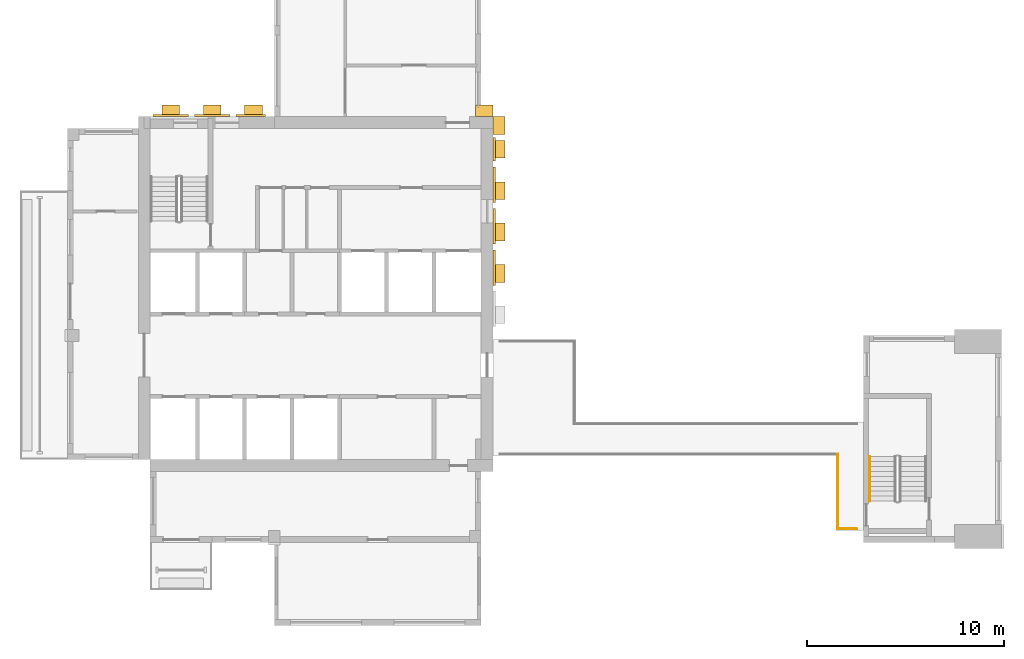
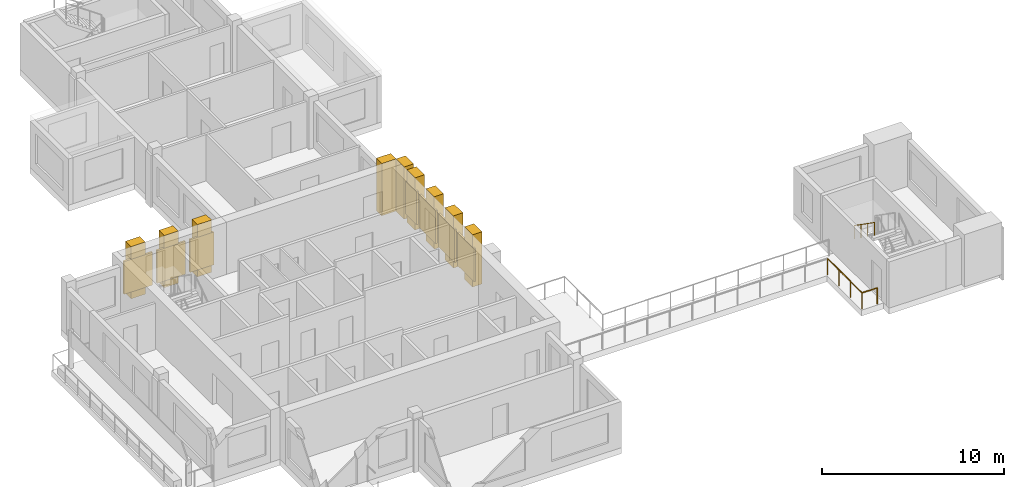
# One storey, part 7 of 9: 16 coverings, 3 railings.
"""IFC4 building model written with IfcOpenShell, lengths in metres."""

from ifc_helpers import new_model, si_unit, direction, frame, origin, origin_2d, place, context, subcontext, project, spatial, rectangle, circle, extrude, source, transform, mapped, material, type_object, element, save


model = new_model("IFC4")

# Units and contexts
model_context = context("Model", 3, precision=1e-05, world=origin(), true_north=direction((0.0, 1.0)))
body_context = subcontext(model_context, "Body", "Model", "MODEL_VIEW")
ifc_project = project(units=[si_unit("LENGTHUNIT", "METRE"), si_unit("AREAUNIT", "SQUARE_METRE"), si_unit("VOLUMEUNIT", "CUBIC_METRE"), si_unit("PLANEANGLEUNIT", "RADIAN"), si_unit("MASSUNIT", "GRAM", prefix="KILO")], contexts=[model_context])

# Site, building, storey
site_placement = place(None, origin())
site = spatial("IfcSite", under=ifc_project, at=site_placement, CompositionType="ELEMENT")
building_placement = place(site_placement, origin())
building = spatial("IfcBuilding", under=site, at=building_placement, Name="Aurelian Terraces", CompositionType="ELEMENT")
storey_placement = place(building_placement, frame((0.0, 0.0, 333.5)))
storey = spatial("IfcBuildingStorey", under=building, at=storey_placement, Name="L78", CompositionType="ELEMENT", Elevation=333.5)

# Railings
ifc_material_1 = material(Name="Anodised aluminium", Category="aluminium")
railing_type_1 = type_object("IfcRailingType", Name="GUARD-1100", PredefinedType="GUARDRAIL", material=ifc_material_1)
railing_1_placement = place(storey_placement, frame((40.05, 0.69, 0.0)))
element("IfcRailing", 1, at=railing_1_placement, inside=storey, type_object=railing_type_1, Name="Terrace guard L78 PORTAL-B78.1", PredefinedType="GUARDRAIL", context=body_context, shape_type="SweptSolid", body=[
    extrude(circle(Radius=0.024, at=origin_2d()), frame((0.0, 0.0, 1.076), z_axis=(-1.0, 0.0, 0.0), x_axis=(0.0, -1.0, 0.0)), (0.0, 0.0, 1.0), 0.96),
    extrude(circle(Radius=0.021, at=origin_2d()), origin(), (0.0, 0.0, 1.0), 1.052),
    extrude(circle(Radius=0.021, at=origin_2d()), frame((-0.96, 0.0, 0.0)), (0.0, 0.0, 1.0), 1.052),
])
railing_2_placement = place(storey_placement, frame((39.09, 0.69, 0.0)))
element("IfcRailing", 2, at=railing_2_placement, inside=storey, type_object=railing_type_1, Name="Terrace guard L78 PORTAL-B78.2", PredefinedType="GUARDRAIL", context=body_context, shape_type="SweptSolid", body=[
    extrude(circle(Radius=0.024, at=origin_2d()), frame((0.0, 0.0, 1.076), z_axis=(0.0, 1.0, 0.0), x_axis=(-1.0, 0.0, 0.0)), (0.0, 0.0, 1.0), 3.8),
    extrude(circle(Radius=0.021, at=origin_2d()), origin(), (0.0, 0.0, 1.0), 1.052),
    extrude(circle(Radius=0.021, at=origin_2d()), frame((0.0, 1.2667, 0.0)), (0.0, 0.0, 1.0), 1.052),
    extrude(circle(Radius=0.021, at=origin_2d()), frame((0.0, 2.5333, 0.0)), (0.0, 0.0, 1.0), 1.052),
    extrude(circle(Radius=0.021, at=origin_2d()), frame((0.0, 3.8, 0.0)), (0.0, 0.0, 1.0), 1.052),
])

# Coverings
ifc_material_2 = material(Name="Terracotta rainscreen cladding louvre blades", Category="masonry")
covering_type_1 = type_object("IfcCoveringType", Name="LOUVRE-TC", PredefinedType="CLADDING", material=ifc_material_2)
shared_shape_1 = source(origin(), body_context, "Body", "SweptSolid", [
    extrude(rectangle(XDim=0.12, YDim=1.8, at=origin_2d()), origin(), (0.0, 0.0, 1.0), 2.2),
])
for number, where, z_axis, x_axis, name in (
    (3, (21.66, 13.95, 0.45), (0.0, 0.0, 1.0), (1.0, 0.0, 0.0), "LOUVRE L78 core face E.2"),
    (4, (21.66, 16.05, 0.45), (0.0, 0.0, 1.0), (1.0, 0.0, 0.0), "LOUVRE L78 core face E.3"),
    (5, (21.66, 18.15, 0.45), (0.0, 0.0, 1.0), (1.0, 0.0, 0.0), "LOUVRE L78 core face E.4"),
):
    element("IfcCovering", number, at=place(storey_placement, frame(where, z_axis=z_axis, x_axis=x_axis)), inside=storey, type_object=covering_type_1, Name=name, PredefinedType="CLADDING", context=body_context, shape_type="MappedRepresentation", body=[
        mapped(shared_shape_1, transform((0.0, 0.0, 0.0), scale=1.0)),
    ])
shared_shape_2 = source(origin(), body_context, "Body", "SweptSolid", [
    extrude(rectangle(XDim=1.8, YDim=0.12, at=origin_2d()), origin(), (0.0, 0.0, 1.0), 2.2),
])
for number, where, z_axis, x_axis, name in (
    (6, (5.25, 21.66, 0.45), (0.0, 0.0, 1.0), (1.0, 0.0, 0.0), "LOUVRE L78 core face N.1"),
    (7, (7.35, 21.66, 0.45), (0.0, 0.0, 1.0), (1.0, 0.0, 0.0), "LOUVRE L78 core face N.2"),
):
    element("IfcCovering", number, at=place(storey_placement, frame(where, z_axis=z_axis, x_axis=x_axis)), inside=storey, type_object=covering_type_1, Name=name, PredefinedType="CLADDING", context=body_context, shape_type="MappedRepresentation", body=[
        mapped(shared_shape_2, transform((0.0, 0.0, 0.0), scale=1.0)),
    ])
shared_shape_3 = source(origin(), body_context, "Body", "SweptSolid", [
    extrude(rectangle(XDim=0.12, YDim=1.2, at=origin_2d()), origin(), (0.0, 0.0, 1.0), 2.2),
])
covering_1_placement = place(storey_placement, frame((21.66, 19.95, 0.45), z_axis=(0.0, 0.0, 1.0), x_axis=(1.0, 0.0, 0.0)))
element("IfcCovering", 8, at=covering_1_placement, inside=storey, type_object=covering_type_1, Name="LOUVRE L78 core face E.5", PredefinedType="CLADDING", context=body_context, shape_type="MappedRepresentation", body=[
    mapped(shared_shape_3, transform((0.0, 0.0, 0.0), scale=1.0)),
])
shared_shape_4 = source(origin(), body_context, "Body", "SweptSolid", [
    extrude(rectangle(XDim=1.5, YDim=0.12, at=origin_2d()), origin(), (0.0, 0.0, 1.0), 2.2),
])
covering_2_placement = place(storey_placement, frame((9.3, 21.66, 0.45), z_axis=(0.0, 0.0, 1.0), x_axis=(1.0, 0.0, 0.0)))
element("IfcCovering", 9, at=covering_2_placement, inside=storey, type_object=covering_type_1, Name="LOUVRE L78 core face N.3", PredefinedType="CLADDING", context=body_context, shape_type="MappedRepresentation", body=[
    mapped(shared_shape_4, transform((0.0, 0.0, 0.0), scale=1.0)),
])

# Railing
ifc_material_3 = material(Name="Stainless steel", Category="steel")
railing_type_2 = type_object("IfcRailingType", Name="Stair handrail", PredefinedType="HANDRAIL", material=ifc_material_3)
shared_shape_5 = source(origin(), body_context, "Body", "SweptSolid", [
    extrude(circle(Radius=0.024, at=origin_2d()), frame((0.0, 0.0, 0.876), z_axis=(0.0, -0.819231920519, 0.573462344363), x_axis=(1.0, 0.0, 0.0)), (0.0, 0.0, 1.0), 2.7465),
    extrude(circle(Radius=0.021, at=origin_2d()), origin(), (0.0, 0.0, 1.0), 0.852),
    extrude(circle(Radius=0.021, at=origin_2d()), frame((0.0, -0.75, 0.525)), (0.0, 0.0, 1.0), 0.852),
    extrude(circle(Radius=0.021, at=origin_2d()), frame((0.0, -1.5, 1.05)), (0.0, 0.0, 1.0), 0.852),
    extrude(circle(Radius=0.021, at=origin_2d()), frame((0.0, -2.25, 1.575)), (0.0, 0.0, 1.0), 0.852),
])
railing_3_placement = place(storey_placement, frame((40.7, 4.35, 1.925)))
element("IfcRailing", 10, at=railing_3_placement, inside=storey, type_object=railing_type_2, Name="L78 S2 stair handrail 2", PredefinedType="HANDRAIL", context=body_context, shape_type="MappedRepresentation", body=[
    mapped(shared_shape_5, transform((0.0, 0.0, 0.0), scale=1.0)),
])

# Coverings
ifc_material_4 = material(Name="Terracotta rainscreen cladding relief", Category="masonry")
covering_type_2 = type_object("IfcCoveringType", Name="Core spine pier 900x600", PredefinedType="CLADDING", material=ifc_material_4)
shared_shape_6 = source(origin(), body_context, "Body", "SweptSolid", [
    extrude(rectangle(XDim=0.6, YDim=0.9, at=origin_2d()), origin(), (0.0, 0.0, 1.0), 3.5),
])
for number, where, z_axis, x_axis, name in (
    (11, (21.9, 13.65, 0.0), (0.0, 0.0, 1.0), (1.0, 0.0, 0.0), "Spine pier L78 E5"),
    (12, (21.9, 15.75, 0.0), (0.0, 0.0, 1.0), (1.0, 0.0, 0.0), "Spine pier L78 E6"),
    (13, (21.9, 17.85, 0.0), (0.0, 0.0, 1.0), (1.0, 0.0, 0.0), "Spine pier L78 E7"),
    (14, (21.9, 19.95, 0.0), (0.0, 0.0, 1.0), (1.0, 0.0, 0.0), "Spine pier L78 E8"),
    (15, (21.9, 21.15, 0.0), (0.0, 0.0, 1.0), (1.0, 0.0, 0.0), "Spine pier L78 corner east"),
):
    element("IfcCovering", number, at=place(storey_placement, frame(where, z_axis=z_axis, x_axis=x_axis)), inside=storey, type_object=covering_type_2, Name=name, PredefinedType="CLADDING", context=body_context, shape_type="MappedRepresentation", body=[
        mapped(shared_shape_6, transform((0.0, 0.0, 0.0), scale=1.0)),
    ])
shared_shape_7 = source(origin(), body_context, "Body", "SweptSolid", [
    extrude(rectangle(XDim=0.9, YDim=0.6, at=origin_2d()), origin(), (0.0, 0.0, 1.0), 3.5),
])
for number, where, z_axis, x_axis, name in (
    (16, (5.25, 21.9, 0.0), (0.0, 0.0, 1.0), (1.0, 0.0, 0.0), "Spine pier L78 N9"),
    (17, (7.35, 21.9, 0.0), (0.0, 0.0, 1.0), (1.0, 0.0, 0.0), "Spine pier L78 N10"),
    (18, (9.45, 21.9, 0.0), (0.0, 0.0, 1.0), (1.0, 0.0, 0.0), "Spine pier L78 N11"),
    (19, (21.15, 21.9, 0.0), (0.0, 0.0, 1.0), (1.0, 0.0, 0.0), "Spine pier L78 corner north"),
):
    element("IfcCovering", number, at=place(storey_placement, frame(where, z_axis=z_axis, x_axis=x_axis)), inside=storey, type_object=covering_type_2, Name=name, PredefinedType="CLADDING", context=body_context, shape_type="MappedRepresentation", body=[
        mapped(shared_shape_7, transform((0.0, 0.0, 0.0), scale=1.0)),
    ])

save(model, "model.ifc")
